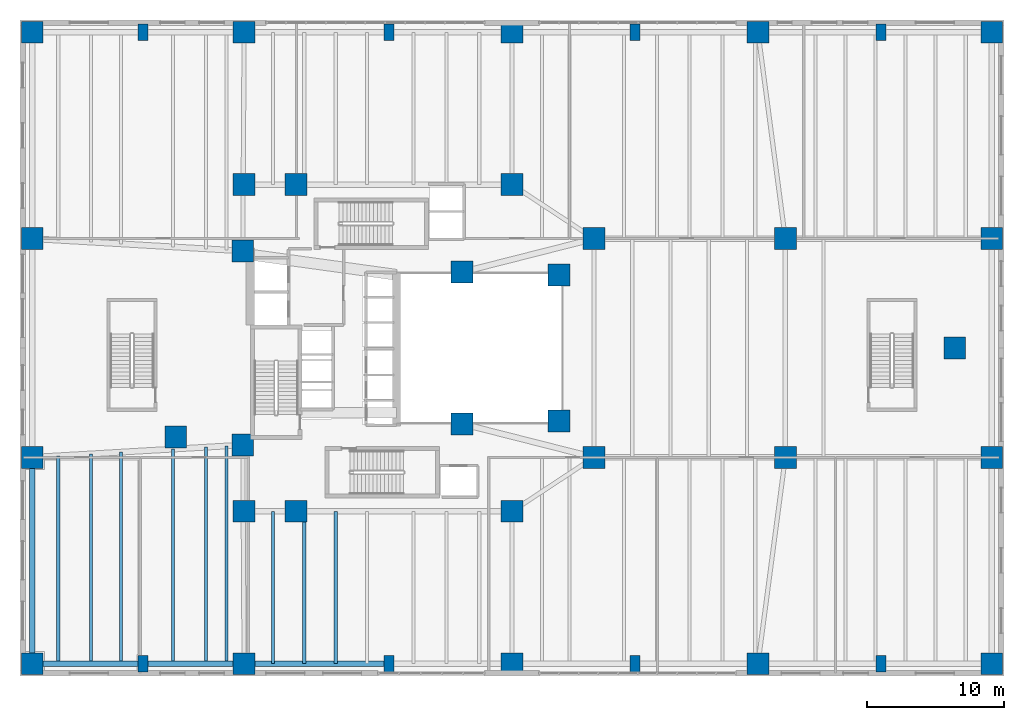
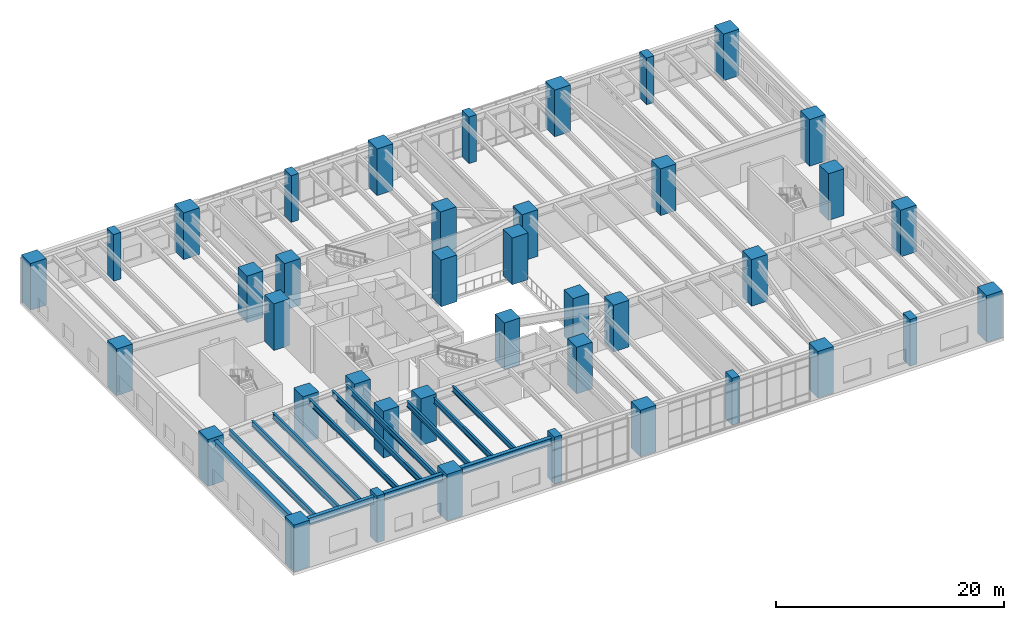
# One storey, part 1 of 26: 40 columns, 13 beams.
"""IFC4 building model written with IfcOpenShell, lengths in metres."""

from ifc_helpers import new_model, si_unit, direction, frame, origin, origin_2d, place, context, subcontext, project, spatial, rectangle, i_section, extrude, material, material_profile, profile_set, type_object, element, save


model = new_model("IFC4")

# Units and contexts
model_context = context("Model", 3, precision=1e-05, world=origin(), true_north=direction((0.0, 1.0)))
body_context = subcontext(model_context, "Body", "Model", "MODEL_VIEW")
ifc_project = project(units=[si_unit("LENGTHUNIT", "METRE"), si_unit("AREAUNIT", "SQUARE_METRE"), si_unit("VOLUMEUNIT", "CUBIC_METRE"), si_unit("PLANEANGLEUNIT", "RADIAN"), si_unit("MASSUNIT", "GRAM", prefix="KILO"), si_unit("THERMODYNAMICTEMPERATUREUNIT", "KELVIN"), si_unit("POWERUNIT", "WATT")], contexts=[model_context])

# Site, building, storey
site_placement = place(None, origin())
site = spatial("IfcSite", under=ifc_project, at=site_placement, CompositionType="ELEMENT")
building_placement = place(site_placement, origin())
building = spatial("IfcBuilding", under=site, at=building_placement, Name="Skarre Station Tower", CompositionType="ELEMENT")
storey_placement = place(building_placement, frame((0.0, 0.0, 6.0)))
storey = spatial("IfcBuildingStorey", under=building, at=storey_placement, Name="L02", CompositionType="ELEMENT", Elevation=6.0)

# Columns
ifc_material_1 = material(Name="Concrete C70/85", Category="concrete")
ifc_material_profile_1 = material_profile(ifc_material_1, rectangle(XDim=1.60009765625, YDim=1.60009765625, at=origin_2d()), Name="Concrete C70/85")
ifc_profile_set_1 = profile_set([ifc_material_profile_1], Name="Concrete C70/85")
column_type_1 = type_object("IfcColumnType", Name="RC Structural Column RC-COL-1600X1600", PredefinedType="COLUMN", material=ifc_profile_set_1)
for number, where, z_axis, x_axis, name in (
    (1, (16.300048828125, 16.89990234375, 0.0), (0.0, 0.0, 1.0), (1.0, 0.0, 0.0), "L02 Core Column CC-SW"),
    (2, (16.300048828125, 31.10009765625, 0.0), (0.0, 0.0, 1.0), (1.0, 0.0, 0.0), "L02 Core Column CC-NW"),
    (3, (32.35009765625, 18.449951171875, 0.0), (0.0, 0.0, 1.0), (1.0, 0.0, 0.0), "L02 Core Column CC-SE"),
    (4, (32.35009765625, 29.550048828125, 0.0), (0.0, 0.0, 1.0), (1.0, 0.0, 0.0), "L02 Core Column CC-NE"),
    (5, (0.89990234375, 0.89990234375, 0.0), (0.0, 0.0, 1.0), (1.0, 0.0, 0.0), "L02 Station Concourse Mega-Column PM01"),
    (6, (71.10009765625, 0.89990234375, 0.0), (0.0, 0.0, 1.0), (1.0, 0.0, 0.0), "L02 Station Concourse Mega-Column PM02"),
    (7, (0.89990234375, 47.10009765625, 0.0), (0.0, 0.0, 1.0), (1.0, 0.0, 0.0), "L02 Station Concourse Mega-Column PM03"),
    (8, (71.10009765625, 47.10009765625, 0.0), (0.0, 0.0, 1.0), (1.0, 0.0, 0.0), "L02 Station Concourse Mega-Column PM04"),
    (9, (16.39990234375, 0.89990234375, 0.0), (0.0, 0.0, 1.0), (1.0, 0.0, 0.0), "L02 Station Concourse Mega-Column PM05"),
    (10, (36.0, 0.89990234375, 0.0), (0.0, 0.0, 1.0), (1.0, 0.0, 0.0), "L02 Station Concourse Mega-Column PM06"),
    (11, (54.0, 0.89990234375, 0.0), (0.0, 0.0, 1.0), (1.0, 0.0, 0.0), "L02 Station Concourse Mega-Column PM07"),
    (12, (16.39990234375, 47.10009765625, 0.0), (0.0, 0.0, 1.0), (1.0, 0.0, 0.0), "L02 Station Concourse Mega-Column PM08"),
    (13, (36.0, 47.10009765625, 0.0), (0.0, 0.0, 1.0), (1.0, 0.0, 0.0), "L02 Station Concourse Mega-Column PM09"),
    (14, (54.0, 47.10009765625, 0.0), (0.0, 0.0, 1.0), (1.0, 0.0, 0.0), "L02 Station Concourse Mega-Column PM10"),
    (15, (0.89990234375, 16.0, 0.0), (0.0, 0.0, 1.0), (1.0, 0.0, 0.0), "L02 Station Concourse Mega-Column PM11"),
    (16, (0.89990234375, 32.0, 0.0), (0.0, 0.0, 1.0), (1.0, 0.0, 0.0), "L02 Station Concourse Mega-Column PM12"),
    (17, (71.10009765625, 16.0, 0.0), (0.0, 0.0, 1.0), (1.0, 0.0, 0.0), "L02 Station Concourse Mega-Column PM13"),
    (18, (71.10009765625, 32.0, 0.0), (0.0, 0.0, 1.0), (1.0, 0.0, 0.0), "L02 Station Concourse Mega-Column PM14"),
    (19, (42.0, 16.0, 0.0), (0.0, 0.0, 1.0), (1.0, 0.0, 0.0), "L02 Station Concourse Mega-Column PM15"),
    (20, (42.0, 32.0, 0.0), (0.0, 0.0, 1.0), (1.0, 0.0, 0.0), "L02 Station Concourse Mega-Column PM16"),
    (21, (56.0, 16.0, 0.0), (0.0, 0.0, 1.0), (1.0, 0.0, 0.0), "L02 Station Concourse Mega-Column PM17"),
    (22, (56.0, 32.0, 0.0), (0.0, 0.0, 1.0), (1.0, 0.0, 0.0), "L02 Station Concourse Mega-Column PM18"),
    (23, (11.39990234375, 17.5, 0.0), (0.0, 0.0, 1.0), (1.0, 0.0, 0.0), "L02 Station Concourse Mega-Column PM19"),
    (24, (68.39990234375, 24.0, 0.0), (0.0, 0.0, 1.0), (1.0, 0.0, 0.0), "L02 Station Concourse Mega-Column PM20"),
    (25, (20.199951171875, 35.949951171875, 0.0), (0.0, 0.0, 1.0), (1.0, 0.0, 0.0), "L02 Station Concourse Mega-Column PM21"),
    (26, (20.199951171875, 12.050048828125, 0.0), (0.0, 0.0, 1.0), (1.0, 0.0, 0.0), "L02 Station Concourse Mega-Column PM22"),
    (27, (16.39990234375, 12.050048828125, 0.0), (0.0, 0.0, 1.0), (1.0, 0.0, 0.0), "L02 Station Concourse Mega-Column PM23"),
    (28, (36.0, 12.050048828125, 0.0), (0.0, 0.0, 1.0), (1.0, 0.0, 0.0), "L02 Station Concourse Mega-Column PM24"),
    (29, (16.39990234375, 35.949951171875, 0.0), (0.0, 0.0, 1.0), (1.0, 0.0, 0.0), "L02 Station Concourse Mega-Column PM25"),
    (30, (36.0, 35.949951171875, 0.0), (0.0, 0.0, 1.0), (1.0, 0.0, 0.0), "L02 Station Concourse Mega-Column PM26"),
    (31, (39.449951171875, 18.64990234375, 0.0), (0.0, 0.0, 1.0), (1.0, 0.0, 0.0), "L02 Station Concourse Mega-Column PM27"),
    (32, (39.449951171875, 29.35009765625, 0.0), (0.0, 0.0, 1.0), (1.0, 0.0, 0.0), "L02 Station Concourse Mega-Column PM28"),
):
    element("IfcColumn", number, at=place(storey_placement, frame(where, z_axis=z_axis, x_axis=x_axis)), inside=storey, type_object=column_type_1, Name=name, PredefinedType="COLUMN", context=body_context, shape_type="SweptSolid", body=[
        extrude(rectangle(XDim=1.60009765625, YDim=1.60009765625, at=origin_2d()), origin(), (0.0, 0.0, 1.0), 5.0),
    ])
ifc_material_2 = material(Name="Concrete C60/75", Category="concrete")
ifc_material_profile_2 = material_profile(ifc_material_2, rectangle(XDim=0.75, YDim=1.199951171875, at=origin_2d()), Name="Concrete C60/75")
ifc_profile_set_2 = profile_set([ifc_material_profile_2], Name="Concrete C60/75")
column_type_2 = type_object("IfcColumnType", Name="RC Structural Pilaster RC-PIER-1200X750", PredefinedType="PILASTER", material=ifc_profile_set_2)
for number, where, z_axis, x_axis, name in (
    (33, (9.0, 0.89990234375, 0.0), (0.0, 0.0, 1.0), (1.0, 0.0, 0.0), "L02 Concourse Facade Pilaster P1"),
    (34, (27.0, 0.89990234375, 0.0), (0.0, 0.0, 1.0), (1.0, 0.0, 0.0), "L02 Concourse Facade Pilaster P2"),
    (35, (45.0, 0.89990234375, 0.0), (0.0, 0.0, 1.0), (1.0, 0.0, 0.0), "L02 Concourse Facade Pilaster P3"),
    (36, (63.0, 0.89990234375, 0.0), (0.0, 0.0, 1.0), (1.0, 0.0, 0.0), "L02 Concourse Facade Pilaster P4"),
    (37, (9.0, 47.10009765625, 0.0), (0.0, 0.0, 1.0), (1.0, 0.0, 0.0), "L02 Concourse Facade Pilaster P5"),
    (38, (27.0, 47.10009765625, 0.0), (0.0, 0.0, 1.0), (1.0, 0.0, 0.0), "L02 Concourse Facade Pilaster P6"),
    (39, (45.0, 47.10009765625, 0.0), (0.0, 0.0, 1.0), (1.0, 0.0, 0.0), "L02 Concourse Facade Pilaster P7"),
    (40, (63.0, 47.10009765625, 0.0), (0.0, 0.0, 1.0), (1.0, 0.0, 0.0), "L02 Concourse Facade Pilaster P8"),
):
    element("IfcColumn", number, at=place(storey_placement, frame(where, z_axis=z_axis, x_axis=x_axis)), inside=storey, type_object=column_type_2, Name=name, PredefinedType="PILASTER", context=body_context, shape_type="SweptSolid", body=[
        extrude(rectangle(XDim=0.75, YDim=1.199951171875, at=origin_2d()), origin(), (0.0, 0.0, 1.0), 5.0),
    ])

# Beams
ifc_material_3 = material(Name="Steel ASTM A992 Grade 50", Category="steel")
ifc_material_profile_3 = material_profile(ifc_material_3, i_section(OverallWidth=0.22802734375, OverallDepth=0.60791015625, WebThickness=0.010986328125, FlangeThickness=0.01708984375, at=origin_2d()), Name="Steel ASTM A992 Grade 50")
ifc_profile_set_3 = profile_set([ifc_material_profile_3], Name="Steel ASTM A992 Grade 50")
beam_type_1 = type_object("IfcBeamType", Name="Steel Joist W24X76", PredefinedType="JOIST", material=ifc_profile_set_3)
beam_1_placement = place(storey_placement, frame((2.800048828125, 0.89990234375, 4.385986328125), z_axis=(0.0, 1.0, 0.0), x_axis=(-1.0, 0.0, 0.0)))
element("IfcBeam", 41, at=beam_1_placement, inside=storey, type_object=beam_type_1, Name="L02 South Bay Joist 1", PredefinedType="JOIST", context=body_context, shape_type="SweptSolid", body=[
    extrude(i_section(OverallWidth=0.22802734375, OverallDepth=0.60791015625, WebThickness=0.010986328125, FlangeThickness=0.01708984375, at=origin_2d()), origin(), (0.0, 0.0, 1.0), 15.211181640625),
])
beam_2_placement = place(storey_placement, frame((5.199951171875, 0.89990234375, 4.385986328125), z_axis=(0.0, 1.0, 0.0), x_axis=(-1.0, 0.0, 0.0)))
element("IfcBeam", 42, at=beam_2_placement, inside=storey, type_object=beam_type_1, Name="L02 South Bay Joist 2", PredefinedType="JOIST", context=body_context, shape_type="SweptSolid", body=[
    extrude(i_section(OverallWidth=0.22802734375, OverallDepth=0.60791015625, WebThickness=0.010986328125, FlangeThickness=0.01708984375, at=origin_2d()), origin(), (0.0, 0.0, 1.0), 15.35107421875),
])
beam_3_placement = place(storey_placement, frame((7.39990234375, 0.89990234375, 4.385986328125), z_axis=(0.0, 1.0, 0.0), x_axis=(-1.0, 0.0, 0.0)))
element("IfcBeam", 43, at=beam_3_placement, inside=storey, type_object=beam_type_1, Name="L02 South Bay Joist 3", PredefinedType="JOIST", context=body_context, shape_type="SweptSolid", body=[
    extrude(i_section(OverallWidth=0.22802734375, OverallDepth=0.60791015625, WebThickness=0.010986328125, FlangeThickness=0.01708984375, at=origin_2d()), origin(), (0.0, 0.0, 1.0), 15.47998046875),
])
beam_4_placement = place(storey_placement, frame((11.199951171875, 0.89990234375, 4.385986328125), z_axis=(0.0, 1.0, 0.0), x_axis=(-1.0, 0.0, 0.0)))
element("IfcBeam", 44, at=beam_4_placement, inside=storey, type_object=beam_type_1, Name="L02 South Bay Joist 4", PredefinedType="JOIST", context=body_context, shape_type="SweptSolid", body=[
    extrude(i_section(OverallWidth=0.22802734375, OverallDepth=0.60791015625, WebThickness=0.010986328125, FlangeThickness=0.01708984375, at=origin_2d()), origin(), (0.0, 0.0, 1.0), 15.7021484375),
])
beam_5_placement = place(storey_placement, frame((13.60009765625, 0.89990234375, 4.385986328125), z_axis=(0.0, 1.0, 0.0), x_axis=(-1.0, 0.0, 0.0)))
element("IfcBeam", 45, at=beam_5_placement, inside=storey, type_object=beam_type_1, Name="L02 South Bay Joist 5", PredefinedType="JOIST", context=body_context, shape_type="SweptSolid", body=[
    extrude(i_section(OverallWidth=0.22802734375, OverallDepth=0.60791015625, WebThickness=0.010986328125, FlangeThickness=0.01708984375, at=origin_2d()), origin(), (0.0, 0.0, 1.0), 15.842041015625),
])
beam_6_placement = place(storey_placement, frame((15.10009765625, 0.89990234375, 4.385986328125), z_axis=(0.0, 1.0, 0.0), x_axis=(-1.0, 0.0, 0.0)))
element("IfcBeam", 46, at=beam_6_placement, inside=storey, type_object=beam_type_1, Name="L02 South Bay Joist 6", PredefinedType="JOIST", context=body_context, shape_type="SweptSolid", body=[
    extrude(i_section(OverallWidth=0.22802734375, OverallDepth=0.60791015625, WebThickness=0.010986328125, FlangeThickness=0.01708984375, at=origin_2d()), origin(), (0.0, 0.0, 1.0), 15.93017578125),
])
for number, where, z_axis, x_axis, name in (
    (47, (18.5, 0.89990234375, 4.385986328125), (0.0, 1.0, 0.0), (-1.0, 0.0, 0.0), "L02 South Bay Joist 7"),
    (48, (20.800048828125, 0.89990234375, 4.385986328125), (0.0, 1.0, 0.0), (-1.0, 0.0, 0.0), "L02 South Bay Joist 8"),
    (49, (23.10009765625, 0.89990234375, 4.385986328125), (0.0, 1.0, 0.0), (-1.0, 0.0, 0.0), "L02 South Bay Joist 9"),
):
    element("IfcBeam", number, at=place(storey_placement, frame(where, z_axis=z_axis, x_axis=x_axis)), inside=storey, type_object=beam_type_1, Name=name, PredefinedType="JOIST", context=body_context, shape_type="SweptSolid", body=[
        extrude(i_section(OverallWidth=0.22802734375, OverallDepth=0.60791015625, WebThickness=0.010986328125, FlangeThickness=0.01708984375, at=origin_2d()), origin(), (0.0, 0.0, 1.0), 11.150146484375),
    ])
ifc_material_profile_4 = material_profile(ifc_material_3, i_section(OverallWidth=0.384033203125, OverallDepth=0.785888671875, WebThickness=0.02001953125, FlangeThickness=0.032958984375, at=origin_2d()), Name="Steel ASTM A992 Grade 50")
ifc_profile_set_4 = profile_set([ifc_material_profile_4], Name="Steel ASTM A992 Grade 50")
beam_type_2 = type_object("IfcBeamType", Name="Steel Spandrel W30X211", PredefinedType="SPANDREL", material=ifc_profile_set_4)
beam_7_placement = place(storey_placement, frame((0.89990234375, 0.89990234375, 4.297119140625), z_axis=(1.0, 0.0, 0.0), x_axis=(0.0, 1.0, 0.0)))
element("IfcBeam", 50, at=beam_7_placement, inside=storey, type_object=beam_type_2, Name="L02 South Podium Spandrel 1", PredefinedType="SPANDREL", context=body_context, shape_type="SweptSolid", body=[
    extrude(i_section(OverallWidth=0.384033203125, OverallDepth=0.785888671875, WebThickness=0.02001953125, FlangeThickness=0.032958984375, at=origin_2d()), origin(), (0.0, 0.0, 1.0), 8.10009765625),
])
beam_8_placement = place(storey_placement, frame((9.0, 0.89990234375, 4.297119140625), z_axis=(1.0, 0.0, 0.0), x_axis=(0.0, 1.0, 0.0)))
element("IfcBeam", 51, at=beam_8_placement, inside=storey, type_object=beam_type_2, Name="L02 South Podium Spandrel 2", PredefinedType="SPANDREL", context=body_context, shape_type="SweptSolid", body=[
    extrude(i_section(OverallWidth=0.384033203125, OverallDepth=0.785888671875, WebThickness=0.02001953125, FlangeThickness=0.032958984375, at=origin_2d()), origin(), (0.0, 0.0, 1.0), 7.39990234375),
])
beam_9_placement = place(storey_placement, frame((16.39990234375, 0.89990234375, 4.297119140625), z_axis=(1.0, 0.0, 0.0), x_axis=(0.0, 1.0, 0.0)))
element("IfcBeam", 52, at=beam_9_placement, inside=storey, type_object=beam_type_2, Name="L02 South Podium Spandrel 3", PredefinedType="SPANDREL", context=body_context, shape_type="SweptSolid", body=[
    extrude(i_section(OverallWidth=0.384033203125, OverallDepth=0.785888671875, WebThickness=0.02001953125, FlangeThickness=0.032958984375, at=origin_2d()), origin(), (0.0, 0.0, 1.0), 10.60009765625),
])
beam_10_placement = place(storey_placement, frame((0.89990234375, 0.89990234375, 4.297119140625), z_axis=(0.0, 1.0, 0.0), x_axis=(-1.0, 0.0, 0.0)))
element("IfcBeam", 53, at=beam_10_placement, inside=storey, type_object=beam_type_2, Name="L02 West Podium Spandrel 1", PredefinedType="SPANDREL", context=body_context, shape_type="SweptSolid", body=[
    extrude(i_section(OverallWidth=0.384033203125, OverallDepth=0.785888671875, WebThickness=0.02001953125, FlangeThickness=0.032958984375, at=origin_2d()), origin(), (0.0, 0.0, 1.0), 15.10009765625),
])

save(model, "model.ifc")
